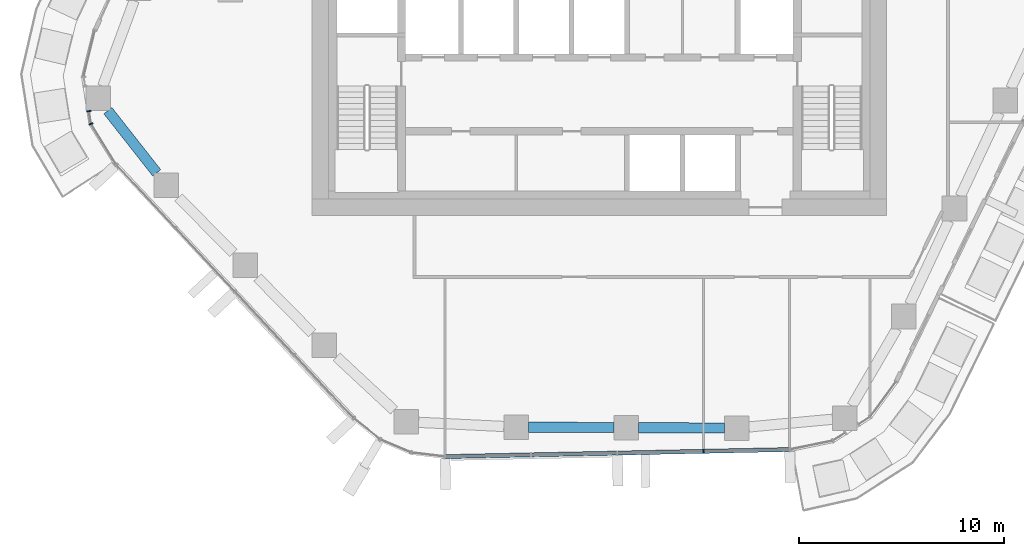
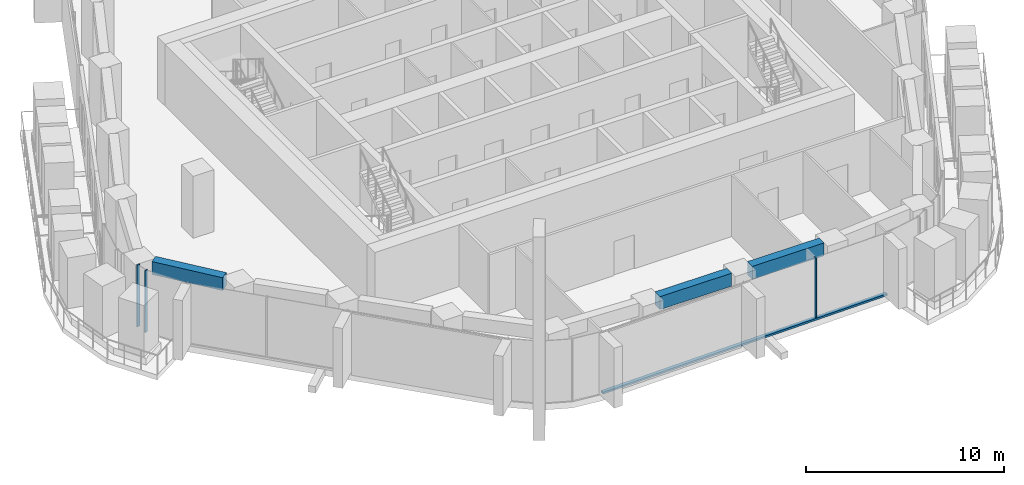
# One storey, part 3 of 18: 4 members, 3 beams, 2 elements without a shape of their own.
"""IFC4 building model written with IfcOpenShell, lengths in metres."""

from ifc_helpers import new_model, si_unit, direction, frame, origin, origin_2d, place, context, subcontext, project, spatial, rectangle, extrude, material, layer, layer_set, material_profile, profile_set, type_object, element, aggregate, save


model = new_model("IFC4")

# Units and contexts
model_context = context("Model", 3, precision=1e-05, world=origin(), true_north=direction((0.0, 1.0)))
body_context = subcontext(model_context, "Body", "Model", "MODEL_VIEW")
ifc_project = project(units=[si_unit("LENGTHUNIT", "METRE"), si_unit("AREAUNIT", "SQUARE_METRE"), si_unit("VOLUMEUNIT", "CUBIC_METRE"), si_unit("PLANEANGLEUNIT", "RADIAN"), si_unit("MASSUNIT", "GRAM", prefix="KILO")], contexts=[model_context])

# Site, building, storey
site_placement = place(None, origin())
site = spatial("IfcSite", under=ifc_project, at=site_placement, CompositionType="ELEMENT")
building_placement = place(site_placement, origin())
building = spatial("IfcBuilding", under=site, at=building_placement, Name="Dongbaek Canopy Tower", CompositionType="ELEMENT")
storey_placement = place(building_placement, frame((0.0, 0.0, 158.60009765625)))
storey = spatial("IfcBuildingStorey", under=building, at=storey_placement, Name="L34", CompositionType="ELEMENT", Elevation=158.60009765625)

# Curtain wall, members
ifc_material_1 = material(Name="Aluminium 6063-T6 pale anodised", Category="aluminium")
ifc_layer = layer(ifc_material_1, 0.199951171875)
ifc_layer_set = layer_set([ifc_layer], Name="CW-1 unitised tower curtain wall")
curtain_wall_type = type_object("IfcCurtainWallType", Name="CW-1 unitised tower curtain wall", PredefinedType="NOTDEFINED", material=ifc_layer_set)
curtain_wall_1_placement = place(storey_placement, origin())
curtain_wall_1 = element("IfcCurtainWall", 1, at=curtain_wall_1_placement, inside=storey, type_object=curtain_wall_type, Name="CW-1 curtain wall K3.1b", PredefinedType="NOTDEFINED")
ifc_material_2 = material(Name="Aluminium 6063-T6 pale anodised", Category="aluminium")
ifc_material_profile_1 = material_profile(ifc_material_2, rectangle(XDim=0.199951171875, YDim=0.06005859375, at=origin_2d()), Name="CW-1 mullion 60 x 200")
ifc_profile_set_1 = profile_set([ifc_material_profile_1], Name="Aluminium 6063-T6 pale anodised")
member_type_1 = type_object("IfcMemberType", Name="CW-1 mullion 60 x 200", PredefinedType="MULLION", material=ifc_profile_set_1)
member_1_placement = place(storey_placement, frame((-24.883056640625, -5.914306640625, 0.0), z_axis=(0.0, 0.0, 1.0), x_axis=(-0.987802807616, -0.155710029436, 0.0)))
member_1 = element("IfcMember", 2, at=member_1_placement, type_object=member_type_1, Name="CW-1 mullion K3.1b.1", PredefinedType="MULLION", context=body_context, shape_type="SweptSolid", body=[
    extrude(rectangle(XDim=0.199951171875, YDim=0.06005859375, at=origin_2d()), origin(), (0.0, 0.0, 1.0), 3.81982421875),
])
member_2_placement = place(storey_placement, frame((-24.784912109375, -6.53759765625, 0.0), z_axis=(0.0, 0.0, 1.0), x_axis=(-0.937567627343, -0.347803024943, 0.0)))
member_2 = element("IfcMember", 3, at=member_2_placement, type_object=member_type_1, Name="CW-1 mullion K3.1b.2", PredefinedType="MULLION", context=body_context, shape_type="SweptSolid", body=[
    extrude(rectangle(XDim=0.199951171875, YDim=0.06005859375, at=origin_2d()), origin(), (0.0, 0.0, 1.0), 3.81982421875),
])
aggregate(curtain_wall_1, [member_1, member_2])

curtain_wall_2_placement = place(storey_placement, origin())
curtain_wall_2 = element("IfcCurtainWall", 4, at=curtain_wall_2_placement, inside=storey, type_object=curtain_wall_type, Name="CW-1 curtain wall F4.1", PredefinedType="NOTDEFINED")
member_3_placement = place(storey_placement, frame((5.086669921875, -22.504638671875, 0.119873046875), z_axis=(0.0, 0.0, 1.0), x_axis=(0.020514717954, -0.999789551029, 0.0)))
member_3 = element("IfcMember", 5, at=member_3_placement, type_object=member_type_1, Name="CW-1 mullion F4.1.4", PredefinedType="MULLION", context=body_context, shape_type="SweptSolid", body=[
    extrude(rectangle(XDim=0.199951171875, YDim=0.06005859375, at=origin_2d()), origin(), (0.0, 0.0, 1.0), 3.699951171875),
])
ifc_material_3 = material(Name="Aluminium 6063-T6 pale anodised", Category="aluminium")
ifc_material_profile_2 = material_profile(ifc_material_3, rectangle(XDim=0.199951171875, YDim=0.1201171875, at=origin_2d()), Name="CW-1 transom 120 x 200")
ifc_profile_set_2 = profile_set([ifc_material_profile_2], Name="Aluminium 6063-T6 pale anodised")
member_type_2 = type_object("IfcMemberType", Name="CW-1 transom 120 x 200", PredefinedType="USERDEFINED", material=ifc_profile_set_2)
member_4_placement = place(storey_placement, frame((-7.526123046875, -22.763427734375, 0.059814453125), z_axis=(0.99978950285, 0.020517065827, 0.0), x_axis=(-0.020517065827, 0.99978950285, 0.0)))
member_4 = element("IfcMember", 6, at=member_4_placement, type_object=member_type_2, Name="CW-1 transom F4.1.1", ObjectType="TRANSOM", PredefinedType="USERDEFINED", context=body_context, shape_type="SweptSolid", body=[
    extrude(rectangle(XDim=0.199951171875, YDim=0.1201171875, at=origin_2d()), origin(), (0.0, 0.0, 1.0), 16.813720703125),
])
aggregate(curtain_wall_2, [member_3, member_4])

# Beams
ifc_material_4 = material(Name="Concrete C70", Category="concrete")
ifc_material_profile_3 = material_profile(ifc_material_4, rectangle(XDim=0.5, YDim=0.800048828125, at=origin_2d()), Name="RC EDGE BEAM 500x800 C70")
ifc_profile_set_3 = profile_set([ifc_material_profile_3], Name="Concrete C70")
beam_type = type_object("IfcBeamType", Name="RC EDGE BEAM 500x800 C70", PredefinedType="BEAM", material=ifc_profile_set_3)
beam_1_placement = place(storey_placement, frame((6.097900390625, -21.369384765625, 3.419921875), z_axis=(-0.999989872655, 0.004500509685, 0.0), x_axis=(-0.004500509685, -0.999989872655, 0.0)))
element("IfcBeam", 7, at=beam_1_placement, inside=storey, type_object=beam_type, Name="EDGEBEAM:L34:01", PredefinedType="BEAM", context=body_context, shape_type="SweptSolid", body=[
    extrude(rectangle(XDim=0.5, YDim=0.800048828125, at=origin_2d()), origin(), (0.0, 0.0, 1.0), 4.177001953125),
])
beam_2_placement = place(storey_placement, frame((0.720947265625, -21.34521484375, 3.419921875), z_axis=(-0.999990129376, 0.004443101423, 0.0), x_axis=(-0.004443101423, -0.999990129376, 0.0)))
element("IfcBeam", 8, at=beam_2_placement, inside=storey, type_object=beam_type, Name="EDGEBEAM:L34:02", PredefinedType="BEAM", context=body_context, shape_type="SweptSolid", body=[
    extrude(rectangle(XDim=0.5, YDim=0.800048828125, at=origin_2d()), origin(), (0.0, 0.0, 1.0), 4.176025390625),
])
beam_3_placement = place(storey_placement, frame((-21.578125, -8.925048828125, 3.419921875), z_axis=(-0.618344214718, 0.785907394115, 0.0), x_axis=(-0.785907394115, -0.618344214718, 0.0)))
element("IfcBeam", 9, at=beam_3_placement, inside=storey, type_object=beam_type, Name="EDGEBEAM:L34:07", PredefinedType="BEAM", context=body_context, shape_type="SweptSolid", body=[
    extrude(rectangle(XDim=0.5, YDim=0.800048828125, at=origin_2d()), origin(), (0.0, 0.0, 1.0), 3.856689453125),
])

save(model, "model.ifc")
